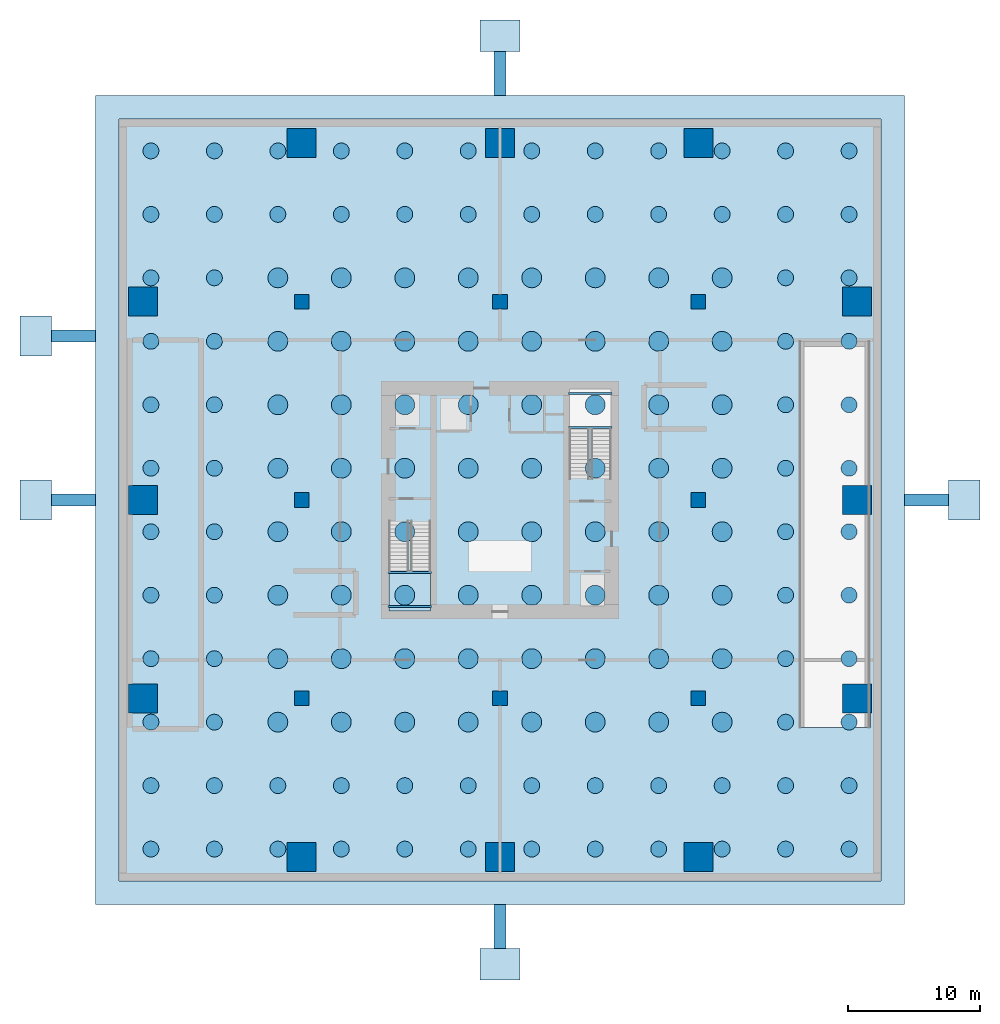
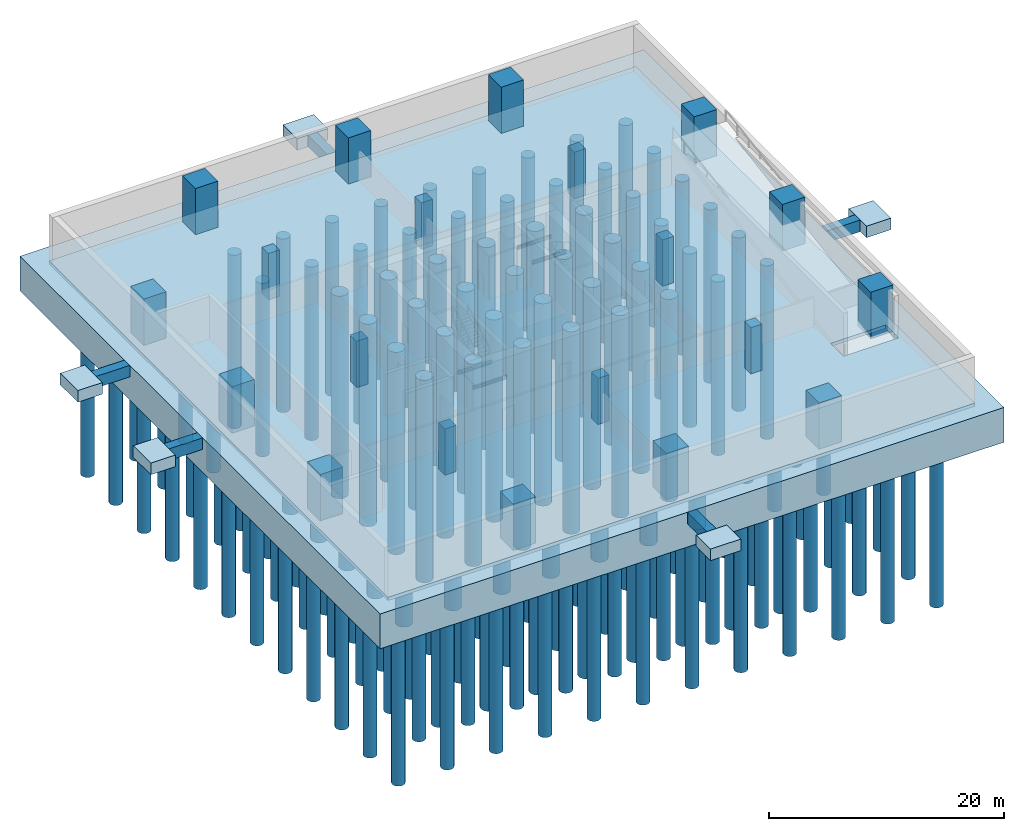
# One storey, part 1 of 6: 144 piles, 20 columns, 11 footings, 4 beams, 2 slabs, 1 element without a shape of its own.
"""IFC4 building model written with IfcOpenShell, lengths in metres."""

from ifc_helpers import new_model, si_unit, direction, frame, origin, origin_2d, place, context, subcontext, project, spatial, polyline, rectangle, circle, i_section, outline, extrude, material, layer, layer_set, material_profile, profile_set, type_object, element, aggregate, save


model = new_model("IFC4")

# Units and contexts
model_context = context("Model", 3, precision=1e-05, world=origin(), true_north=direction((0.0, 1.0)))
body_context = subcontext(model_context, "Body", "Model", "MODEL_VIEW")
ifc_project = project(units=[si_unit("LENGTHUNIT", "METRE"), si_unit("AREAUNIT", "SQUARE_METRE"), si_unit("VOLUMEUNIT", "CUBIC_METRE"), si_unit("PLANEANGLEUNIT", "RADIAN"), si_unit("MASSUNIT", "GRAM", prefix="KILO")], contexts=[model_context])

# Site, building, storey
site_placement = place(None, origin())
site = spatial("IfcSite", under=ifc_project, at=site_placement, CompositionType="ELEMENT")
building_placement = place(site_placement, origin())
building = spatial("IfcBuilding", under=site, at=building_placement, Name="Belovzor Exchange Tower", CompositionType="ELEMENT")
storey_placement = place(building_placement, frame((0.0, 0.0, -9.60009765625)))
storey = spatial("IfcBuildingStorey", under=building, at=storey_placement, Name="B02", CompositionType="ELEMENT", Elevation=-9.60009765625)

# Footings
ifc_material_1 = material(Name="Concrete C50/60", Category="concrete")
ifc_layer_1 = layer(ifc_material_1, 1.199951171875)
ifc_layer_set_1 = layer_set([ifc_layer_1], Name="Concrete C50/60")
footing_type_1 = type_object("IfcFootingType", Name="Reinforced Concrete Apron Portal Pad Footing 3000x2400", PredefinedType="PAD_FOOTING", material=ifc_layer_set_1)
for number, where, z_axis, x_axis, name in (
    (1, (-6.300048828125, 28.800048828125, -1.19970703125), (0.0, 0.0, 1.0), (1.0, 0.0, 0.0), "PC-1 Apron Portal Pad Footing NW"),
    (2, (63.89990234375, 28.800048828125, -1.19970703125), (0.0, 0.0, 1.0), (1.0, 0.0, 0.0), "PC-1 Apron Portal Pad Footing EA"),
):
    element("IfcFooting", number, at=place(storey_placement, frame(where, z_axis=z_axis, x_axis=x_axis)), inside=storey, type_object=footing_type_1, Name=name, PredefinedType="PAD_FOOTING", context=body_context, shape_type="SweptSolid", body=[
        extrude(rectangle(XDim=2.39990234375, YDim=3.0, at=origin_2d()), origin(), (0.0, 0.0, 1.0), 1.199951171875),
    ])
for number, where, z_axis, x_axis, name in (
    (3, (28.800048828125, -6.300048828125, -1.19970703125), (0.0, 0.0, 1.0), (1.0, 0.0, 0.0), "PC-1 Apron Portal Pad Footing SO"),
    (4, (28.800048828125, 63.89990234375, -1.19970703125), (0.0, 0.0, 1.0), (1.0, 0.0, 0.0), "PC-1 Apron Portal Pad Footing NO"),
):
    element("IfcFooting", number, at=place(storey_placement, frame(where, z_axis=z_axis, x_axis=x_axis)), inside=storey, type_object=footing_type_1, Name=name, PredefinedType="PAD_FOOTING", context=body_context, shape_type="SweptSolid", body=[
        extrude(rectangle(XDim=3.0, YDim=2.39990234375, at=origin_2d()), origin(), (0.0, 0.0, 1.0), 1.199951171875),
    ])
footing_1_placement = place(storey_placement, frame((-6.300048828125, 41.199951171875, -1.19970703125), z_axis=(0.0, 0.0, 1.0), x_axis=(1.0, 0.0, 0.0)))
element("IfcFooting", 5, at=footing_1_placement, inside=storey, type_object=footing_type_1, Name="PC-1 Apron Portal Pad Footing RP", PredefinedType="PAD_FOOTING", context=body_context, shape_type="SweptSolid", body=[
    extrude(rectangle(XDim=2.39990234375, YDim=3.0, at=origin_2d()), origin(), (0.0, 0.0, 1.0), 1.199951171875),
])
ifc_material_2 = material(Name="Concrete C50/60", Category="concrete")
ifc_layer_2 = layer(ifc_material_2, 1.199951171875)
ifc_layer_set_2 = layer_set([ifc_layer_2], Name="Concrete C50/60")
footing_type_2 = type_object("IfcFootingType", Name="Reinforced Concrete Foundation Tie Beam 900x1200", PredefinedType="FOOTING_BEAM", material=ifc_layer_set_2)
for number, where, z_axis, x_axis, name in (
    (6, (-3.449951171875, 28.800048828125, -1.19970703125), (0.0, 0.0, 1.0), (1.0, 0.0, 0.0), "GB-1 Foundation Tie Beam NW"),
    (7, (61.050048828125, 28.800048828125, -1.19970703125), (0.0, 0.0, 1.0), (1.0, 0.0, 0.0), "GB-1 Foundation Tie Beam EA"),
    (8, (28.800048828125, -3.449951171875, -1.19970703125), (0.0, 0.0, 1.0), (0.0, 1.0, 0.0), "GB-1 Foundation Tie Beam SO"),
    (9, (28.800048828125, 61.050048828125, -1.19970703125), (0.0, 0.0, 1.0), (0.0, 1.0, 0.0), "GB-1 Foundation Tie Beam NO"),
    (10, (-3.449951171875, 41.199951171875, -1.19970703125), (0.0, 0.0, 1.0), (1.0, 0.0, 0.0), "GB-1 Foundation Tie Beam RP"),
):
    element("IfcFooting", number, at=place(storey_placement, frame(where, z_axis=z_axis, x_axis=x_axis)), inside=storey, type_object=footing_type_2, Name=name, PredefinedType="FOOTING_BEAM", context=body_context, shape_type="SweptSolid", body=[
        extrude(rectangle(XDim=3.300048828125, YDim=0.89990234375, at=origin_2d()), origin(), (0.0, 0.0, 1.0), 1.199951171875),
    ])
ifc_material_3 = material(Name="Concrete C50/60", Category="concrete")
ifc_layer_3 = layer(ifc_material_3, 3.60009765625)
ifc_layer_set_3 = layer_set([ifc_layer_3], Name="Concrete C50/60")
footing_type_3 = type_object("IfcFootingType", Name="Reinforced Concrete Piled Raft Foundation 3600", PredefinedType="CAISSON_FOUNDATION", material=ifc_layer_set_3)
footing_2_placement = place(storey_placement, frame((28.800048828125, 28.800048828125, -3.599853515625), z_axis=(0.0, 0.0, 1.0), x_axis=(1.0, 0.0, 0.0)))
element("IfcFooting", 11, at=footing_2_placement, inside=storey, type_object=footing_type_3, Name="RF-MAT1 Piled Raft Foundation", PredefinedType="CAISSON_FOUNDATION", context=body_context, shape_type="SweptSolid", body=[
    extrude(rectangle(XDim=61.199951171875, YDim=61.199951171875, at=origin_2d()), origin(), (0.0, 0.0, 1.0), 3.60009765625),
])

# Piles
ifc_material_4 = material(Name="Concrete C40/50", Category="concrete")
ifc_material_profile_1 = material_profile(ifc_material_4, circle(Radius=0.60009765625, at=origin_2d()))
ifc_profile_set_1 = profile_set([ifc_material_profile_1], Name="Concrete C40/50")
pile_type_1 = type_object("IfcPileType", Name="Socketed Bored Pile D1200", PredefinedType="BORED", material=ifc_profile_set_1)
for number, where, z_axis, x_axis, name in (
    (12, (2.39990234375, 2.39990234375, -3.449951171875), (0.0, 0.0, -1.0), (1.0, 0.0, 0.0), "P-2 Bored Pile 001"),
    (13, (2.39990234375, 7.199951171875, -3.449951171875), (0.0, 0.0, -1.0), (1.0, 0.0, 0.0), "P-2 Bored Pile 002"),
    (14, (2.39990234375, 12.0, -3.449951171875), (0.0, 0.0, -1.0), (1.0, 0.0, 0.0), "P-2 Bored Pile 003"),
    (15, (2.39990234375, 16.800048828125, -3.449951171875), (0.0, 0.0, -1.0), (1.0, 0.0, 0.0), "P-2 Bored Pile 004"),
    (16, (2.39990234375, 21.60009765625, -3.449951171875), (0.0, 0.0, -1.0), (1.0, 0.0, 0.0), "P-2 Bored Pile 005"),
    (17, (2.39990234375, 26.39990234375, -3.449951171875), (0.0, 0.0, -1.0), (1.0, 0.0, 0.0), "P-2 Bored Pile 006"),
    (18, (2.39990234375, 31.199951171875, -3.449951171875), (0.0, 0.0, -1.0), (1.0, 0.0, 0.0), "P-2 Bored Pile 007"),
    (19, (2.39990234375, 36.0, -3.449951171875), (0.0, 0.0, -1.0), (1.0, 0.0, 0.0), "P-2 Bored Pile 008"),
    (20, (2.39990234375, 40.800048828125, -3.449951171875), (0.0, 0.0, -1.0), (1.0, 0.0, 0.0), "P-2 Bored Pile 009"),
    (21, (2.39990234375, 45.60009765625, -3.449951171875), (0.0, 0.0, -1.0), (1.0, 0.0, 0.0), "P-2 Bored Pile 010"),
    (22, (2.39990234375, 50.39990234375, -3.449951171875), (0.0, 0.0, -1.0), (1.0, 0.0, 0.0), "P-2 Bored Pile 011"),
    (23, (2.39990234375, 55.199951171875, -3.449951171875), (0.0, 0.0, -1.0), (1.0, 0.0, 0.0), "P-2 Bored Pile 012"),
    (24, (7.199951171875, 2.39990234375, -3.449951171875), (0.0, 0.0, -1.0), (1.0, 0.0, 0.0), "P-2 Bored Pile 013"),
    (25, (7.199951171875, 7.199951171875, -3.449951171875), (0.0, 0.0, -1.0), (1.0, 0.0, 0.0), "P-2 Bored Pile 014"),
    (26, (7.199951171875, 12.0, -3.449951171875), (0.0, 0.0, -1.0), (1.0, 0.0, 0.0), "P-2 Bored Pile 015"),
    (27, (7.199951171875, 16.800048828125, -3.449951171875), (0.0, 0.0, -1.0), (1.0, 0.0, 0.0), "P-2 Bored Pile 016"),
    (28, (7.199951171875, 21.60009765625, -3.449951171875), (0.0, 0.0, -1.0), (1.0, 0.0, 0.0), "P-2 Bored Pile 017"),
    (29, (7.199951171875, 26.39990234375, -3.449951171875), (0.0, 0.0, -1.0), (1.0, 0.0, 0.0), "P-2 Bored Pile 018"),
    (30, (7.199951171875, 31.199951171875, -3.449951171875), (0.0, 0.0, -1.0), (1.0, 0.0, 0.0), "P-2 Bored Pile 019"),
    (31, (7.199951171875, 36.0, -3.449951171875), (0.0, 0.0, -1.0), (1.0, 0.0, 0.0), "P-2 Bored Pile 020"),
    (32, (7.199951171875, 40.800048828125, -3.449951171875), (0.0, 0.0, -1.0), (1.0, 0.0, 0.0), "P-2 Bored Pile 021"),
    (33, (7.199951171875, 45.60009765625, -3.449951171875), (0.0, 0.0, -1.0), (1.0, 0.0, 0.0), "P-2 Bored Pile 022"),
    (34, (7.199951171875, 50.39990234375, -3.449951171875), (0.0, 0.0, -1.0), (1.0, 0.0, 0.0), "P-2 Bored Pile 023"),
    (35, (7.199951171875, 55.199951171875, -3.449951171875), (0.0, 0.0, -1.0), (1.0, 0.0, 0.0), "P-2 Bored Pile 024"),
    (36, (12.0, 2.39990234375, -3.449951171875), (0.0, 0.0, -1.0), (1.0, 0.0, 0.0), "P-2 Bored Pile 025"),
    (37, (12.0, 7.199951171875, -3.449951171875), (0.0, 0.0, -1.0), (1.0, 0.0, 0.0), "P-2 Bored Pile 026"),
    (38, (12.0, 50.39990234375, -3.449951171875), (0.0, 0.0, -1.0), (1.0, 0.0, 0.0), "P-2 Bored Pile 035"),
    (39, (12.0, 55.199951171875, -3.449951171875), (0.0, 0.0, -1.0), (1.0, 0.0, 0.0), "P-2 Bored Pile 036"),
    (40, (16.800048828125, 2.39990234375, -3.449951171875), (0.0, 0.0, -1.0), (1.0, 0.0, 0.0), "P-2 Bored Pile 037"),
    (41, (16.800048828125, 7.199951171875, -3.449951171875), (0.0, 0.0, -1.0), (1.0, 0.0, 0.0), "P-2 Bored Pile 038"),
    (42, (16.800048828125, 50.39990234375, -3.449951171875), (0.0, 0.0, -1.0), (1.0, 0.0, 0.0), "P-2 Bored Pile 047"),
    (43, (16.800048828125, 55.199951171875, -3.449951171875), (0.0, 0.0, -1.0), (1.0, 0.0, 0.0), "P-2 Bored Pile 048"),
    (44, (21.60009765625, 2.39990234375, -3.449951171875), (0.0, 0.0, -1.0), (1.0, 0.0, 0.0), "P-2 Bored Pile 049"),
    (45, (21.60009765625, 7.199951171875, -3.449951171875), (0.0, 0.0, -1.0), (1.0, 0.0, 0.0), "P-2 Bored Pile 050"),
    (46, (21.60009765625, 50.39990234375, -3.449951171875), (0.0, 0.0, -1.0), (1.0, 0.0, 0.0), "P-2 Bored Pile 059"),
    (47, (21.60009765625, 55.199951171875, -3.449951171875), (0.0, 0.0, -1.0), (1.0, 0.0, 0.0), "P-2 Bored Pile 060"),
    (48, (26.39990234375, 2.39990234375, -3.449951171875), (0.0, 0.0, -1.0), (1.0, 0.0, 0.0), "P-2 Bored Pile 061"),
    (49, (26.39990234375, 7.199951171875, -3.449951171875), (0.0, 0.0, -1.0), (1.0, 0.0, 0.0), "P-2 Bored Pile 062"),
    (50, (26.39990234375, 50.39990234375, -3.449951171875), (0.0, 0.0, -1.0), (1.0, 0.0, 0.0), "P-2 Bored Pile 071"),
    (51, (26.39990234375, 55.199951171875, -3.449951171875), (0.0, 0.0, -1.0), (1.0, 0.0, 0.0), "P-2 Bored Pile 072"),
    (52, (31.199951171875, 2.39990234375, -3.449951171875), (0.0, 0.0, -1.0), (1.0, 0.0, 0.0), "P-2 Bored Pile 073"),
    (53, (31.199951171875, 7.199951171875, -3.449951171875), (0.0, 0.0, -1.0), (1.0, 0.0, 0.0), "P-2 Bored Pile 074"),
    (54, (31.199951171875, 50.39990234375, -3.449951171875), (0.0, 0.0, -1.0), (1.0, 0.0, 0.0), "P-2 Bored Pile 083"),
    (55, (31.199951171875, 55.199951171875, -3.449951171875), (0.0, 0.0, -1.0), (1.0, 0.0, 0.0), "P-2 Bored Pile 084"),
    (56, (36.0, 2.39990234375, -3.449951171875), (0.0, 0.0, -1.0), (1.0, 0.0, 0.0), "P-2 Bored Pile 085"),
    (57, (36.0, 7.199951171875, -3.449951171875), (0.0, 0.0, -1.0), (1.0, 0.0, 0.0), "P-2 Bored Pile 086"),
    (58, (36.0, 50.39990234375, -3.449951171875), (0.0, 0.0, -1.0), (1.0, 0.0, 0.0), "P-2 Bored Pile 095"),
    (59, (36.0, 55.199951171875, -3.449951171875), (0.0, 0.0, -1.0), (1.0, 0.0, 0.0), "P-2 Bored Pile 096"),
    (60, (40.800048828125, 2.39990234375, -3.449951171875), (0.0, 0.0, -1.0), (1.0, 0.0, 0.0), "P-2 Bored Pile 097"),
    (61, (40.800048828125, 7.199951171875, -3.449951171875), (0.0, 0.0, -1.0), (1.0, 0.0, 0.0), "P-2 Bored Pile 098"),
    (62, (40.800048828125, 50.39990234375, -3.449951171875), (0.0, 0.0, -1.0), (1.0, 0.0, 0.0), "P-2 Bored Pile 107"),
    (63, (40.800048828125, 55.199951171875, -3.449951171875), (0.0, 0.0, -1.0), (1.0, 0.0, 0.0), "P-2 Bored Pile 108"),
    (64, (45.60009765625, 2.39990234375, -3.449951171875), (0.0, 0.0, -1.0), (1.0, 0.0, 0.0), "P-2 Bored Pile 109"),
    (65, (45.60009765625, 7.199951171875, -3.449951171875), (0.0, 0.0, -1.0), (1.0, 0.0, 0.0), "P-2 Bored Pile 110"),
    (66, (45.60009765625, 50.39990234375, -3.449951171875), (0.0, 0.0, -1.0), (1.0, 0.0, 0.0), "P-2 Bored Pile 119"),
    (67, (45.60009765625, 55.199951171875, -3.449951171875), (0.0, 0.0, -1.0), (1.0, 0.0, 0.0), "P-2 Bored Pile 120"),
    (68, (50.39990234375, 2.39990234375, -3.449951171875), (0.0, 0.0, -1.0), (1.0, 0.0, 0.0), "P-2 Bored Pile 121"),
    (69, (50.39990234375, 7.199951171875, -3.449951171875), (0.0, 0.0, -1.0), (1.0, 0.0, 0.0), "P-2 Bored Pile 122"),
    (70, (50.39990234375, 12.0, -3.449951171875), (0.0, 0.0, -1.0), (1.0, 0.0, 0.0), "P-2 Bored Pile 123"),
    (71, (50.39990234375, 16.800048828125, -3.449951171875), (0.0, 0.0, -1.0), (1.0, 0.0, 0.0), "P-2 Bored Pile 124"),
    (72, (50.39990234375, 21.60009765625, -3.449951171875), (0.0, 0.0, -1.0), (1.0, 0.0, 0.0), "P-2 Bored Pile 125"),
    (73, (50.39990234375, 26.39990234375, -3.449951171875), (0.0, 0.0, -1.0), (1.0, 0.0, 0.0), "P-2 Bored Pile 126"),
    (74, (50.39990234375, 31.199951171875, -3.449951171875), (0.0, 0.0, -1.0), (1.0, 0.0, 0.0), "P-2 Bored Pile 127"),
    (75, (50.39990234375, 36.0, -3.449951171875), (0.0, 0.0, -1.0), (1.0, 0.0, 0.0), "P-2 Bored Pile 128"),
    (76, (50.39990234375, 40.800048828125, -3.449951171875), (0.0, 0.0, -1.0), (1.0, 0.0, 0.0), "P-2 Bored Pile 129"),
    (77, (50.39990234375, 45.60009765625, -3.449951171875), (0.0, 0.0, -1.0), (1.0, 0.0, 0.0), "P-2 Bored Pile 130"),
    (78, (50.39990234375, 50.39990234375, -3.449951171875), (0.0, 0.0, -1.0), (1.0, 0.0, 0.0), "P-2 Bored Pile 131"),
    (79, (50.39990234375, 55.199951171875, -3.449951171875), (0.0, 0.0, -1.0), (1.0, 0.0, 0.0), "P-2 Bored Pile 132"),
    (80, (55.199951171875, 2.39990234375, -3.449951171875), (0.0, 0.0, -1.0), (1.0, 0.0, 0.0), "P-2 Bored Pile 133"),
    (81, (55.199951171875, 7.199951171875, -3.449951171875), (0.0, 0.0, -1.0), (1.0, 0.0, 0.0), "P-2 Bored Pile 134"),
    (82, (55.199951171875, 12.0, -3.449951171875), (0.0, 0.0, -1.0), (1.0, 0.0, 0.0), "P-2 Bored Pile 135"),
    (83, (55.199951171875, 16.800048828125, -3.449951171875), (0.0, 0.0, -1.0), (1.0, 0.0, 0.0), "P-2 Bored Pile 136"),
    (84, (55.199951171875, 21.60009765625, -3.449951171875), (0.0, 0.0, -1.0), (1.0, 0.0, 0.0), "P-2 Bored Pile 137"),
    (85, (55.199951171875, 26.39990234375, -3.449951171875), (0.0, 0.0, -1.0), (1.0, 0.0, 0.0), "P-2 Bored Pile 138"),
    (86, (55.199951171875, 31.199951171875, -3.449951171875), (0.0, 0.0, -1.0), (1.0, 0.0, 0.0), "P-2 Bored Pile 139"),
    (87, (55.199951171875, 36.0, -3.449951171875), (0.0, 0.0, -1.0), (1.0, 0.0, 0.0), "P-2 Bored Pile 140"),
    (88, (55.199951171875, 40.800048828125, -3.449951171875), (0.0, 0.0, -1.0), (1.0, 0.0, 0.0), "P-2 Bored Pile 141"),
    (89, (55.199951171875, 45.60009765625, -3.449951171875), (0.0, 0.0, -1.0), (1.0, 0.0, 0.0), "P-2 Bored Pile 142"),
    (90, (55.199951171875, 50.39990234375, -3.449951171875), (0.0, 0.0, -1.0), (1.0, 0.0, 0.0), "P-2 Bored Pile 143"),
    (91, (55.199951171875, 55.199951171875, -3.449951171875), (0.0, 0.0, -1.0), (1.0, 0.0, 0.0), "P-2 Bored Pile 144"),
):
    element("IfcPile", number, at=place(storey_placement, frame(where, z_axis=z_axis, x_axis=x_axis)), inside=storey, type_object=pile_type_1, Name=name, PredefinedType="BORED", context=body_context, shape_type="SweptSolid", body=[
        extrude(circle(Radius=0.60009765625, at=origin_2d()), origin(), (0.0, 0.0, 1.0), 18.0),
    ])
ifc_material_5 = material(Name="Concrete C40/50", Category="concrete")
ifc_material_profile_2 = material_profile(ifc_material_5, circle(Radius=0.75, at=origin_2d()))
ifc_profile_set_2 = profile_set([ifc_material_profile_2], Name="Concrete C40/50")
pile_type_2 = type_object("IfcPileType", Name="Socketed Bored Pile D1500", PredefinedType="BORED", material=ifc_profile_set_2)
for number, where, z_axis, x_axis, name in (
    (92, (12.0, 12.0, -3.449951171875), (0.0, 0.0, -1.0), (1.0, 0.0, 0.0), "P-1 Bored Pile 027"),
    (93, (12.0, 16.800048828125, -3.449951171875), (0.0, 0.0, -1.0), (1.0, 0.0, 0.0), "P-1 Bored Pile 028"),
    (94, (12.0, 21.60009765625, -3.449951171875), (0.0, 0.0, -1.0), (1.0, 0.0, 0.0), "P-1 Bored Pile 029"),
    (95, (12.0, 26.39990234375, -3.449951171875), (0.0, 0.0, -1.0), (1.0, 0.0, 0.0), "P-1 Bored Pile 030"),
    (96, (12.0, 31.199951171875, -3.449951171875), (0.0, 0.0, -1.0), (1.0, 0.0, 0.0), "P-1 Bored Pile 031"),
    (97, (12.0, 36.0, -3.449951171875), (0.0, 0.0, -1.0), (1.0, 0.0, 0.0), "P-1 Bored Pile 032"),
    (98, (12.0, 40.800048828125, -3.449951171875), (0.0, 0.0, -1.0), (1.0, 0.0, 0.0), "P-1 Bored Pile 033"),
    (99, (12.0, 45.60009765625, -3.449951171875), (0.0, 0.0, -1.0), (1.0, 0.0, 0.0), "P-1 Bored Pile 034"),
    (100, (16.800048828125, 12.0, -3.449951171875), (0.0, 0.0, -1.0), (1.0, 0.0, 0.0), "P-1 Bored Pile 039"),
    (101, (16.800048828125, 16.800048828125, -3.449951171875), (0.0, 0.0, -1.0), (1.0, 0.0, 0.0), "P-1 Bored Pile 040"),
    (102, (16.800048828125, 21.60009765625, -3.449951171875), (0.0, 0.0, -1.0), (1.0, 0.0, 0.0), "P-1 Bored Pile 041"),
    (103, (16.800048828125, 26.39990234375, -3.449951171875), (0.0, 0.0, -1.0), (1.0, 0.0, 0.0), "P-1 Bored Pile 042"),
    (104, (16.800048828125, 31.199951171875, -3.449951171875), (0.0, 0.0, -1.0), (1.0, 0.0, 0.0), "P-1 Bored Pile 043"),
    (105, (16.800048828125, 36.0, -3.449951171875), (0.0, 0.0, -1.0), (1.0, 0.0, 0.0), "P-1 Bored Pile 044"),
    (106, (16.800048828125, 40.800048828125, -3.449951171875), (0.0, 0.0, -1.0), (1.0, 0.0, 0.0), "P-1 Bored Pile 045"),
    (107, (16.800048828125, 45.60009765625, -3.449951171875), (0.0, 0.0, -1.0), (1.0, 0.0, 0.0), "P-1 Bored Pile 046"),
    (108, (21.60009765625, 12.0, -3.449951171875), (0.0, 0.0, -1.0), (1.0, 0.0, 0.0), "P-1 Bored Pile 051"),
    (109, (21.60009765625, 16.800048828125, -3.449951171875), (0.0, 0.0, -1.0), (1.0, 0.0, 0.0), "P-1 Bored Pile 052"),
    (110, (21.60009765625, 21.60009765625, -3.449951171875), (0.0, 0.0, -1.0), (1.0, 0.0, 0.0), "P-1 Bored Pile 053"),
    (111, (21.60009765625, 26.39990234375, -3.449951171875), (0.0, 0.0, -1.0), (1.0, 0.0, 0.0), "P-1 Bored Pile 054"),
    (112, (21.60009765625, 31.199951171875, -3.449951171875), (0.0, 0.0, -1.0), (1.0, 0.0, 0.0), "P-1 Bored Pile 055"),
    (113, (21.60009765625, 36.0, -3.449951171875), (0.0, 0.0, -1.0), (1.0, 0.0, 0.0), "P-1 Bored Pile 056"),
    (114, (21.60009765625, 40.800048828125, -3.449951171875), (0.0, 0.0, -1.0), (1.0, 0.0, 0.0), "P-1 Bored Pile 057"),
    (115, (21.60009765625, 45.60009765625, -3.449951171875), (0.0, 0.0, -1.0), (1.0, 0.0, 0.0), "P-1 Bored Pile 058"),
    (116, (26.39990234375, 12.0, -3.449951171875), (0.0, 0.0, -1.0), (1.0, 0.0, 0.0), "P-1 Bored Pile 063"),
    (117, (26.39990234375, 16.800048828125, -3.449951171875), (0.0, 0.0, -1.0), (1.0, 0.0, 0.0), "P-1 Bored Pile 064"),
    (118, (26.39990234375, 21.60009765625, -3.449951171875), (0.0, 0.0, -1.0), (1.0, 0.0, 0.0), "P-1 Bored Pile 065"),
    (119, (26.39990234375, 26.39990234375, -3.449951171875), (0.0, 0.0, -1.0), (1.0, 0.0, 0.0), "P-1 Bored Pile 066"),
    (120, (26.39990234375, 31.199951171875, -3.449951171875), (0.0, 0.0, -1.0), (1.0, 0.0, 0.0), "P-1 Bored Pile 067"),
    (121, (26.39990234375, 36.0, -3.449951171875), (0.0, 0.0, -1.0), (1.0, 0.0, 0.0), "P-1 Bored Pile 068"),
    (122, (26.39990234375, 40.800048828125, -3.449951171875), (0.0, 0.0, -1.0), (1.0, 0.0, 0.0), "P-1 Bored Pile 069"),
    (123, (26.39990234375, 45.60009765625, -3.449951171875), (0.0, 0.0, -1.0), (1.0, 0.0, 0.0), "P-1 Bored Pile 070"),
    (124, (31.199951171875, 12.0, -3.449951171875), (0.0, 0.0, -1.0), (1.0, 0.0, 0.0), "P-1 Bored Pile 075"),
    (125, (31.199951171875, 16.800048828125, -3.449951171875), (0.0, 0.0, -1.0), (1.0, 0.0, 0.0), "P-1 Bored Pile 076"),
    (126, (31.199951171875, 21.60009765625, -3.449951171875), (0.0, 0.0, -1.0), (1.0, 0.0, 0.0), "P-1 Bored Pile 077"),
    (127, (31.199951171875, 26.39990234375, -3.449951171875), (0.0, 0.0, -1.0), (1.0, 0.0, 0.0), "P-1 Bored Pile 078"),
    (128, (31.199951171875, 31.199951171875, -3.449951171875), (0.0, 0.0, -1.0), (1.0, 0.0, 0.0), "P-1 Bored Pile 079"),
    (129, (31.199951171875, 36.0, -3.449951171875), (0.0, 0.0, -1.0), (1.0, 0.0, 0.0), "P-1 Bored Pile 080"),
    (130, (31.199951171875, 40.800048828125, -3.449951171875), (0.0, 0.0, -1.0), (1.0, 0.0, 0.0), "P-1 Bored Pile 081"),
    (131, (31.199951171875, 45.60009765625, -3.449951171875), (0.0, 0.0, -1.0), (1.0, 0.0, 0.0), "P-1 Bored Pile 082"),
    (132, (36.0, 12.0, -3.449951171875), (0.0, 0.0, -1.0), (1.0, 0.0, 0.0), "P-1 Bored Pile 087"),
    (133, (36.0, 16.800048828125, -3.449951171875), (0.0, 0.0, -1.0), (1.0, 0.0, 0.0), "P-1 Bored Pile 088"),
    (134, (36.0, 21.60009765625, -3.449951171875), (0.0, 0.0, -1.0), (1.0, 0.0, 0.0), "P-1 Bored Pile 089"),
    (135, (36.0, 26.39990234375, -3.449951171875), (0.0, 0.0, -1.0), (1.0, 0.0, 0.0), "P-1 Bored Pile 090"),
    (136, (36.0, 31.199951171875, -3.449951171875), (0.0, 0.0, -1.0), (1.0, 0.0, 0.0), "P-1 Bored Pile 091"),
    (137, (36.0, 36.0, -3.449951171875), (0.0, 0.0, -1.0), (1.0, 0.0, 0.0), "P-1 Bored Pile 092"),
    (138, (36.0, 40.800048828125, -3.449951171875), (0.0, 0.0, -1.0), (1.0, 0.0, 0.0), "P-1 Bored Pile 093"),
    (139, (36.0, 45.60009765625, -3.449951171875), (0.0, 0.0, -1.0), (1.0, 0.0, 0.0), "P-1 Bored Pile 094"),
    (140, (40.800048828125, 12.0, -3.449951171875), (0.0, 0.0, -1.0), (1.0, 0.0, 0.0), "P-1 Bored Pile 099"),
    (141, (40.800048828125, 16.800048828125, -3.449951171875), (0.0, 0.0, -1.0), (1.0, 0.0, 0.0), "P-1 Bored Pile 100"),
    (142, (40.800048828125, 21.60009765625, -3.449951171875), (0.0, 0.0, -1.0), (1.0, 0.0, 0.0), "P-1 Bored Pile 101"),
    (143, (40.800048828125, 26.39990234375, -3.449951171875), (0.0, 0.0, -1.0), (1.0, 0.0, 0.0), "P-1 Bored Pile 102"),
    (144, (40.800048828125, 31.199951171875, -3.449951171875), (0.0, 0.0, -1.0), (1.0, 0.0, 0.0), "P-1 Bored Pile 103"),
    (145, (40.800048828125, 36.0, -3.449951171875), (0.0, 0.0, -1.0), (1.0, 0.0, 0.0), "P-1 Bored Pile 104"),
    (146, (40.800048828125, 40.800048828125, -3.449951171875), (0.0, 0.0, -1.0), (1.0, 0.0, 0.0), "P-1 Bored Pile 105"),
    (147, (40.800048828125, 45.60009765625, -3.449951171875), (0.0, 0.0, -1.0), (1.0, 0.0, 0.0), "P-1 Bored Pile 106"),
    (148, (45.60009765625, 12.0, -3.449951171875), (0.0, 0.0, -1.0), (1.0, 0.0, 0.0), "P-1 Bored Pile 111"),
    (149, (45.60009765625, 16.800048828125, -3.449951171875), (0.0, 0.0, -1.0), (1.0, 0.0, 0.0), "P-1 Bored Pile 112"),
    (150, (45.60009765625, 21.60009765625, -3.449951171875), (0.0, 0.0, -1.0), (1.0, 0.0, 0.0), "P-1 Bored Pile 113"),
    (151, (45.60009765625, 26.39990234375, -3.449951171875), (0.0, 0.0, -1.0), (1.0, 0.0, 0.0), "P-1 Bored Pile 114"),
    (152, (45.60009765625, 31.199951171875, -3.449951171875), (0.0, 0.0, -1.0), (1.0, 0.0, 0.0), "P-1 Bored Pile 115"),
    (153, (45.60009765625, 36.0, -3.449951171875), (0.0, 0.0, -1.0), (1.0, 0.0, 0.0), "P-1 Bored Pile 116"),
    (154, (45.60009765625, 40.800048828125, -3.449951171875), (0.0, 0.0, -1.0), (1.0, 0.0, 0.0), "P-1 Bored Pile 117"),
    (155, (45.60009765625, 45.60009765625, -3.449951171875), (0.0, 0.0, -1.0), (1.0, 0.0, 0.0), "P-1 Bored Pile 118"),
):
    element("IfcPile", number, at=place(storey_placement, frame(where, z_axis=z_axis, x_axis=x_axis)), inside=storey, type_object=pile_type_2, Name=name, PredefinedType="BORED", context=body_context, shape_type="SweptSolid", body=[
        extrude(circle(Radius=0.75, at=origin_2d()), origin(), (0.0, 0.0, 1.0), 21.0),
    ])

# Columns
ifc_material_6 = material(Name="Concrete C50/60", Category="concrete")
ifc_material_profile_3 = material_profile(ifc_material_6, rectangle(XDim=1.10009765625, YDim=1.10009765625, at=origin_2d()))
ifc_profile_set_3 = profile_set([ifc_material_profile_3], Name="Concrete C50/60")
column_type_1 = type_object("IfcColumnType", Name="Basement Structural Column 1100x1100", PredefinedType="COLUMN", material=ifc_profile_set_3)
for number, where, z_axis, x_axis, name in (
    (156, (13.800048828125, 13.800048828125, 0.0), (0.0, 0.0, 1.0), (1.0, 0.0, 0.0), "COL-B110 Basement Structural Column 1100x1100"),
    (157, (28.800048828125, 13.800048828125, 0.0), (0.0, 0.0, 1.0), (1.0, 0.0, 0.0), "COL-B110 Basement Structural Column 1100x1100"),
    (158, (43.800048828125, 13.800048828125, 0.0), (0.0, 0.0, 1.0), (1.0, 0.0, 0.0), "COL-B110 Basement Structural Column 1100x1100"),
    (159, (13.800048828125, 43.800048828125, 0.0), (0.0, 0.0, 1.0), (1.0, 0.0, 0.0), "COL-B110 Basement Structural Column 1100x1100"),
    (160, (28.800048828125, 43.800048828125, 0.0), (0.0, 0.0, 1.0), (1.0, 0.0, 0.0), "COL-B110 Basement Structural Column 1100x1100"),
    (161, (43.800048828125, 43.800048828125, 0.0), (0.0, 0.0, 1.0), (1.0, 0.0, 0.0), "COL-B110 Basement Structural Column 1100x1100"),
    (162, (13.800048828125, 28.800048828125, 0.0), (0.0, 0.0, 1.0), (1.0, 0.0, 0.0), "COL-B110 Basement Structural Column 1100x1100"),
    (163, (43.800048828125, 28.800048828125, 0.0), (0.0, 0.0, 1.0), (1.0, 0.0, 0.0), "COL-B110 Basement Structural Column 1100x1100"),
):
    element("IfcColumn", number, at=place(storey_placement, frame(where, z_axis=z_axis, x_axis=x_axis)), inside=storey, type_object=column_type_1, Name=name, PredefinedType="COLUMN", context=body_context, shape_type="SweptSolid", body=[
        extrude(rectangle(XDim=1.10009765625, YDim=1.10009765625, at=origin_2d()), origin(), (0.0, 0.0, 1.0), 4.798095703125),
    ])
ifc_material_7 = material(Name="Concrete C60/75", Category="concrete")
ifc_material_profile_4 = material_profile(ifc_material_7, rectangle(XDim=2.199951171875, YDim=2.199951171875, at=origin_2d()))
ifc_profile_set_4 = profile_set([ifc_material_profile_4], Name="Concrete C60/75")
column_type_2 = type_object("IfcColumnType", Name="Substructure Mega-Pilotis Pedestal Column 2200x2200", PredefinedType="COLUMN", material=ifc_profile_set_4)
for number, where, z_axis, x_axis, name in (
    (164, (13.800048828125, 1.800048828125, 0.0), (0.0, 0.0, 1.0), (1.0, 0.0, 0.0), "COL-MP220B Substructure Mega-Pilotis Pedestal Column 2200x2200"),
    (165, (28.800048828125, 1.800048828125, 0.0), (0.0, 0.0, 1.0), (1.0, 0.0, 0.0), "COL-MP220B Substructure Mega-Pilotis Pedestal Column 2200x2200"),
    (166, (43.800048828125, 1.800048828125, 0.0), (0.0, 0.0, 1.0), (1.0, 0.0, 0.0), "COL-MP220B Substructure Mega-Pilotis Pedestal Column 2200x2200"),
    (167, (55.800048828125, 13.800048828125, 0.0), (0.0, 0.0, 1.0), (1.0, 0.0, 0.0), "COL-MP220B Substructure Mega-Pilotis Pedestal Column 2200x2200"),
    (168, (55.800048828125, 28.800048828125, 0.0), (0.0, 0.0, 1.0), (1.0, 0.0, 0.0), "COL-MP220B Substructure Mega-Pilotis Pedestal Column 2200x2200"),
    (169, (55.800048828125, 43.800048828125, 0.0), (0.0, 0.0, 1.0), (1.0, 0.0, 0.0), "COL-MP220B Substructure Mega-Pilotis Pedestal Column 2200x2200"),
    (170, (43.800048828125, 55.800048828125, 0.0), (0.0, 0.0, 1.0), (1.0, 0.0, 0.0), "COL-MP220B Substructure Mega-Pilotis Pedestal Column 2200x2200"),
    (171, (28.800048828125, 55.800048828125, 0.0), (0.0, 0.0, 1.0), (1.0, 0.0, 0.0), "COL-MP220B Substructure Mega-Pilotis Pedestal Column 2200x2200"),
    (172, (13.800048828125, 55.800048828125, 0.0), (0.0, 0.0, 1.0), (1.0, 0.0, 0.0), "COL-MP220B Substructure Mega-Pilotis Pedestal Column 2200x2200"),
    (173, (1.800048828125, 43.800048828125, 0.0), (0.0, 0.0, 1.0), (1.0, 0.0, 0.0), "COL-MP220B Substructure Mega-Pilotis Pedestal Column 2200x2200"),
    (174, (1.800048828125, 28.800048828125, 0.0), (0.0, 0.0, 1.0), (1.0, 0.0, 0.0), "COL-MP220B Substructure Mega-Pilotis Pedestal Column 2200x2200"),
    (175, (1.800048828125, 13.800048828125, 0.0), (0.0, 0.0, 1.0), (1.0, 0.0, 0.0), "COL-MP220B Substructure Mega-Pilotis Pedestal Column 2200x2200"),
):
    element("IfcColumn", number, at=place(storey_placement, frame(where, z_axis=z_axis, x_axis=x_axis)), inside=storey, type_object=column_type_2, Name=name, PredefinedType="COLUMN", context=body_context, shape_type="SweptSolid", body=[
        extrude(rectangle(XDim=2.199951171875, YDim=2.199951171875, at=origin_2d()), origin(), (0.0, 0.0, 1.0), 4.798095703125),
    ])

# Beams
ifc_material_8 = material(Name="Steel S355", Category="steel")
ifc_material_profile_5 = material_profile(ifc_material_8, i_section(OverallWidth=0.14990234375, OverallDepth=0.300048828125, WebThickness=0.007080078125, FlangeThickness=0.0107421875, at=origin_2d()))
ifc_profile_set_5 = profile_set([ifc_material_profile_5], Name="Steel S355")
beam_type = type_object("IfcBeamType", Name="Secondary Trim Floor Joist IPE 300", PredefinedType="BEAM", material=ifc_profile_set_5)
for number, where, z_axis, x_axis, name in (
    (176, (20.320068359375, 23.31005859375, 2.050048828125), (1.0, 0.0, 0.0), (0.0, 1.0, 0.0), "FJ-300 Secondary Trim Floor Joist IPE 300"),
    (177, (20.320068359375, 20.75, 2.050048828125), (1.0, 0.0, 0.0), (0.0, 1.0, 0.0), "FJ-300 Secondary Trim Floor Joist IPE 300"),
):
    element("IfcBeam", number, at=place(storey_placement, frame(where, z_axis=z_axis, x_axis=x_axis)), inside=storey, type_object=beam_type, Name=name, PredefinedType="BEAM", context=body_context, shape_type="SweptSolid", body=[
        extrude(i_section(OverallWidth=0.14990234375, OverallDepth=0.300048828125, WebThickness=0.007080078125, FlangeThickness=0.0107421875, at=origin_2d()), origin(), (0.0, 0.0, 1.0), 3.309814453125),
    ])
for number, where, z_axis, x_axis, name in (
    (178, (37.280029296875, 34.2900390625, 2.050048828125), (-1.0, 0.0, 0.0), (0.0, -1.0, 0.0), "FJ-300 Secondary Trim Floor Joist IPE 300"),
    (179, (37.280029296875, 36.85009765625, 2.050048828125), (-1.0, 0.0, 0.0), (0.0, -1.0, 0.0), "FJ-300 Secondary Trim Floor Joist IPE 300"),
):
    element("IfcBeam", number, at=place(storey_placement, frame(where, z_axis=z_axis, x_axis=x_axis)), inside=storey, type_object=beam_type, Name=name, PredefinedType="BEAM", context=body_context, shape_type="SweptSolid", body=[
        extrude(i_section(OverallWidth=0.14990234375, OverallDepth=0.300048828125, WebThickness=0.007080078125, FlangeThickness=0.0107421875, at=origin_2d()), origin(), (0.0, 0.0, 1.0), 3.31005859375),
    ])

# Slab
ifc_material_9 = material(Name="Concrete C50/60", Category="concrete")
ifc_layer_4 = layer(ifc_material_9, 0.35009765625)
ifc_layer_set_4 = layer_set([ifc_layer_4], Name="Concrete C50/60")
slab_type_1 = type_object("IfcSlabType", Name="Reinforced Concrete Basement Base Slab 350", PredefinedType="BASESLAB", material=ifc_layer_set_4)
slab_1_placement = place(storey_placement, frame((0.0, 0.0, -0.349853515625)))
element("IfcSlab", 180, at=slab_1_placement, inside=storey, type_object=slab_type_1, Name="SL-B350 Structural Slab B02", PredefinedType="BASESLAB", context=body_context, shape_type="SweptSolid", body=[
    extrude(outline(polyline([(0.0, 0.0), (57.60009765625, 0.0), (57.60009765625, 57.60009765625), (0.0, 57.60009765625), (0.0, 0.0)]), holes=[polyline([(51.39990234375, 11.60009765625), (56.800048828125, 11.60009765625), (56.800048828125, 13.800048828125), (51.39990234375, 13.800048828125), (51.39990234375, 11.60009765625)])]), origin(), (0.0, 0.0, 1.0), 0.349853515625),
])

# Stair, slab
ifc_material_10 = material(Name="Concrete C40/50", Category="concrete")
stair_type = type_object("IfcStairType", Name="Reinforced Concrete Dogleg Escape Stair 1350", PredefinedType="HALF_TURN_STAIR", material=ifc_material_10)
stair_placement = place(storey_placement, origin())
stair = element("IfcStair", 181, at=stair_placement, inside=storey, type_object=stair_type, Name="B02 ST-1", PredefinedType="HALF_TURN_STAIR")
ifc_material_11 = material(Name="Concrete C40/50", Category="concrete")
ifc_layer_5 = layer(ifc_material_11, 0.199951171875)
ifc_layer_set_5 = layer_set([ifc_layer_5], Name="Concrete C40/50")
slab_type_2 = type_object("IfcSlabType", Name="Reinforced Concrete Stair Half-Landing Slab 200", PredefinedType="LANDING", material=ifc_layer_set_5)
slab_2_placement = place(storey_placement, frame((0.0, 0.0, 2.2001953125)))
slab_2 = element("IfcSlab", 182, at=slab_2_placement, type_object=slab_type_2, Name="ST-1 landing 1", PredefinedType="LANDING", context=body_context, shape_type="SweptSolid", body=[
    extrude(outline(polyline([(20.39990234375, 23.429931640625), (20.39990234375, 20.39990234375), (23.550048828125, 20.39990234375), (23.550048828125, 23.429931640625), (20.39990234375, 23.429931640625)])), origin(), (0.0, 0.0, 1.0), 0.199951171875),
])
aggregate(stair, [slab_2])

save(model, "model.ifc")
